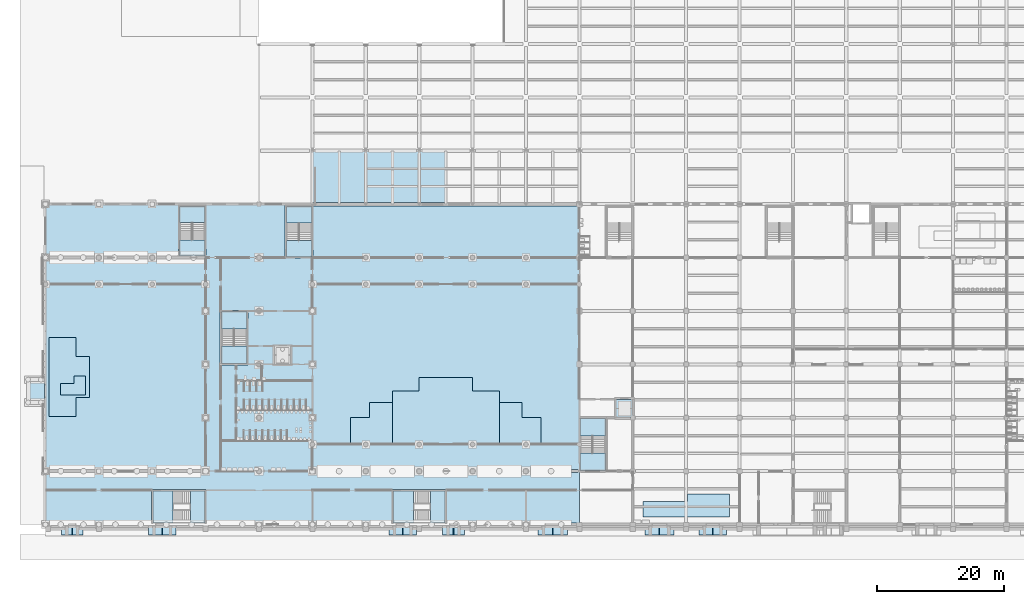
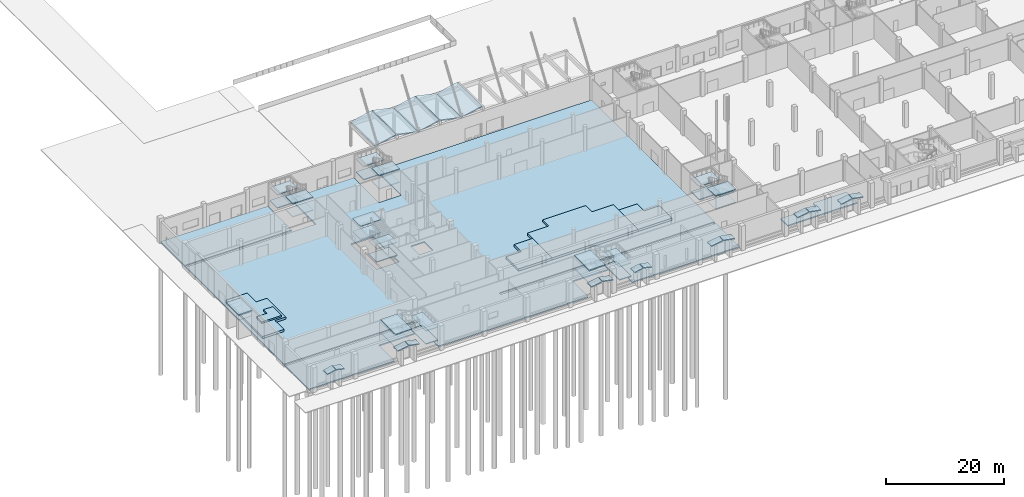
# One storey, part 11 of 74: 52 slabs, 6 elements without a shape of their own.
"""IFC4 building model written with IfcOpenShell, lengths in metres."""

from ifc_helpers import new_model, si_unit, direction, frame, origin, place, context, subcontext, project, spatial, polyline, outline, extrude, material, layer, layer_set, type_object, element, aggregate, save


model = new_model("IFC4")

# Units and contexts
model_context = context("Model", 3, precision=1e-05, world=origin(), true_north=direction((0.0, 1.0)))
body_context = subcontext(model_context, "Body", "Model", "MODEL_VIEW")
ifc_project = project(units=[si_unit("LENGTHUNIT", "METRE"), si_unit("AREAUNIT", "SQUARE_METRE"), si_unit("VOLUMEUNIT", "CUBIC_METRE"), si_unit("PLANEANGLEUNIT", "RADIAN"), si_unit("MASSUNIT", "GRAM", prefix="KILO")], contexts=[model_context])

# Site, building, storey
site_placement = place(None, origin())
site = spatial("IfcSite", under=ifc_project, at=site_placement, CompositionType="ELEMENT")
building_placement = place(site_placement, origin())
building = spatial("IfcBuilding", under=site, at=building_placement, Name="Rulbaag Community and Learning Centre", CompositionType="ELEMENT")
storey_placement = place(building_placement, origin())
storey = spatial("IfcBuildingStorey", under=building, at=storey_placement, Name="L00", CompositionType="ELEMENT", Elevation=0.0)

# Stair, slabs
ifc_material_1 = material(Name="Concrete M40", Category="concrete")
stair_type_1 = type_object("IfcStairType", Name="ST-2000 STAIR 2000 WIDE", PredefinedType="HALF_TURN_STAIR", material=ifc_material_1)
stair_1_placement = place(storey_placement, origin())
stair_1 = element("IfcStair", 1, at=stair_1_placement, inside=storey, type_object=stair_type_1, Name="Stair ST-H0 L00", PredefinedType="HALF_TURN_STAIR")
ifc_layer_1 = layer(ifc_material_1, 0.179931640625)
ifc_layer_set_1 = layer_set([ifc_layer_1], Name="LN-180 LANDING 180 Concrete M40")
slab_type_1 = type_object("IfcSlabType", Name="LN-180 LANDING 180 Concrete M40", PredefinedType="LANDING", material=ifc_layer_set_1)
slab_1_placement = place(storey_placement, frame((0.0, 0.0, 1.169921875)))
slab_1 = element("IfcSlab", 2, at=slab_1_placement, type_object=slab_type_1, Name="ST-H0 landing 1", PredefinedType="LANDING", context=body_context, shape_type="SweptSolid", body=[
    extrude(outline(polyline([(21.10009765625, 47.487548828125), (21.10009765625, 50.02490234375), (25.10009765625, 50.02490234375), (25.10009765625, 47.487548828125), (21.10009765625, 47.487548828125)])), origin(), (0.0, 0.0, 1.0), 0.18017578125),
])
slab_2_placement = place(storey_placement, frame((0.0, 0.0, 2.52001953125)))
slab_2 = element("IfcSlab", 3, at=slab_2_placement, type_object=slab_type_1, Name="ST-H0 landing 2", PredefinedType="LANDING", context=body_context, shape_type="SweptSolid", body=[
    extrude(outline(polyline([(21.10009765625, 42.25), (21.10009765625, 44.78759765625), (25.10009765625, 44.78759765625), (25.10009765625, 42.25), (21.10009765625, 42.25)])), origin(), (0.0, 0.0, 1.0), 0.179931640625),
])
slab_3_placement = place(storey_placement, frame((0.0, 0.0, 3.8701171875)))
slab_3 = element("IfcSlab", 4, at=slab_3_placement, type_object=slab_type_1, Name="ST-H0 landing 3", PredefinedType="LANDING", context=body_context, shape_type="SweptSolid", body=[
    extrude(outline(polyline([(21.10009765625, 47.487548828125), (21.10009765625, 50.02490234375), (25.10009765625, 50.02490234375), (25.10009765625, 47.487548828125), (21.10009765625, 47.487548828125)])), origin(), (0.0, 0.0, 1.0), 0.179931640625),
])
slab_4_placement = place(storey_placement, frame((0.0, 0.0, 5.219970703125)))
slab_4 = element("IfcSlab", 5, at=slab_4_placement, type_object=slab_type_1, Name="ST-H0 landing 4", PredefinedType="LANDING", context=body_context, shape_type="SweptSolid", body=[
    extrude(outline(polyline([(21.10009765625, 42.25), (21.10009765625, 44.78759765625), (25.10009765625, 44.78759765625), (25.10009765625, 42.25), (21.10009765625, 42.25)])), origin(), (0.0, 0.0, 1.0), 0.179931640625),
])
aggregate(stair_1, [slab_1, slab_2, slab_3, slab_4])

stair_2_placement = place(storey_placement, origin())
stair_2 = element("IfcStair", 6, at=stair_2_placement, inside=storey, type_object=stair_type_1, Name="Stair ST-H1 L00", PredefinedType="HALF_TURN_STAIR")
slab_5_placement = place(storey_placement, frame((0.0, 0.0, 1.169921875)))
slab_5 = element("IfcSlab", 7, at=slab_5_placement, type_object=slab_type_1, Name="ST-H1 landing 1", PredefinedType="LANDING", context=body_context, shape_type="SweptSolid", body=[
    extrude(outline(polyline([(27.699951171875, 25.300048828125), (27.699951171875, 28.050048828125), (31.699951171875, 28.050048828125), (31.699951171875, 25.300048828125), (27.699951171875, 25.300048828125)])), origin(), (0.0, 0.0, 1.0), 0.18017578125),
])
slab_6_placement = place(storey_placement, frame((0.0, 0.0, 2.52001953125)))
slab_6 = element("IfcSlab", 8, at=slab_6_placement, type_object=slab_type_1, Name="ST-H1 landing 2", PredefinedType="LANDING", context=body_context, shape_type="SweptSolid", body=[
    extrude(outline(polyline([(27.699951171875, 30.75), (27.699951171875, 33.5), (31.699951171875, 33.5), (31.699951171875, 30.75), (27.699951171875, 30.75)])), origin(), (0.0, 0.0, 1.0), 0.179931640625),
])
slab_7_placement = place(storey_placement, frame((0.0, 0.0, 3.8701171875)))
slab_7 = element("IfcSlab", 9, at=slab_7_placement, type_object=slab_type_1, Name="ST-H1 landing 3", PredefinedType="LANDING", context=body_context, shape_type="SweptSolid", body=[
    extrude(outline(polyline([(27.699951171875, 25.300048828125), (27.699951171875, 28.050048828125), (31.699951171875, 28.050048828125), (31.699951171875, 25.300048828125), (27.699951171875, 25.300048828125)])), origin(), (0.0, 0.0, 1.0), 0.179931640625),
])
slab_8_placement = place(storey_placement, frame((0.0, 0.0, 5.219970703125)))
slab_8 = element("IfcSlab", 10, at=slab_8_placement, type_object=slab_type_1, Name="ST-H1 landing 4", PredefinedType="LANDING", context=body_context, shape_type="SweptSolid", body=[
    extrude(outline(polyline([(27.699951171875, 30.75), (27.699951171875, 33.5), (31.699951171875, 33.5), (31.699951171875, 30.75), (27.699951171875, 30.75)])), origin(), (0.0, 0.0, 1.0), 0.179931640625),
])
aggregate(stair_2, [slab_5, slab_6, slab_7, slab_8])

stair_3_placement = place(storey_placement, origin())
stair_3 = element("IfcStair", 11, at=stair_3_placement, inside=storey, type_object=stair_type_1, Name="Stair ST-H2 L00", PredefinedType="HALF_TURN_STAIR")
slab_9_placement = place(storey_placement, frame((0.0, 0.0, 1.169921875)))
slab_9 = element("IfcSlab", 12, at=slab_9_placement, type_object=slab_type_1, Name="ST-H2 landing 1", PredefinedType="LANDING", context=body_context, shape_type="SweptSolid", body=[
    extrude(outline(polyline([(84.10009765625, 13.949951171875), (84.10009765625, 16.699951171875), (88.10009765625, 16.699951171875), (88.10009765625, 13.949951171875), (84.10009765625, 13.949951171875)])), origin(), (0.0, 0.0, 1.0), 0.18017578125),
])
slab_10_placement = place(storey_placement, frame((0.0, 0.0, 2.52001953125)))
slab_10 = element("IfcSlab", 13, at=slab_10_placement, type_object=slab_type_1, Name="ST-H2 landing 2", PredefinedType="LANDING", context=body_context, shape_type="SweptSolid", body=[
    extrude(outline(polyline([(84.10009765625, 8.5), (84.10009765625, 11.25), (88.10009765625, 11.25), (88.10009765625, 8.5), (84.10009765625, 8.5)])), origin(), (0.0, 0.0, 1.0), 0.179931640625),
])
slab_11_placement = place(storey_placement, frame((0.0, 0.0, 3.8701171875)))
slab_11 = element("IfcSlab", 14, at=slab_11_placement, type_object=slab_type_1, Name="ST-H2 landing 3", PredefinedType="LANDING", context=body_context, shape_type="SweptSolid", body=[
    extrude(outline(polyline([(84.10009765625, 13.949951171875), (84.10009765625, 16.699951171875), (88.10009765625, 16.699951171875), (88.10009765625, 13.949951171875), (84.10009765625, 13.949951171875)])), origin(), (0.0, 0.0, 1.0), 0.179931640625),
])
slab_12_placement = place(storey_placement, frame((0.0, 0.0, 5.219970703125)))
slab_12 = element("IfcSlab", 15, at=slab_12_placement, type_object=slab_type_1, Name="ST-H2 landing 4", PredefinedType="LANDING", context=body_context, shape_type="SweptSolid", body=[
    extrude(outline(polyline([(84.10009765625, 8.5), (84.10009765625, 11.25), (88.10009765625, 11.25), (88.10009765625, 8.5), (84.10009765625, 8.5)])), origin(), (0.0, 0.0, 1.0), 0.179931640625),
])
aggregate(stair_3, [slab_9, slab_10, slab_11, slab_12])

stair_4_placement = place(storey_placement, origin())
stair_4 = element("IfcStair", 16, at=stair_4_placement, inside=storey, type_object=stair_type_1, Name="Stair ST-H5 L00", PredefinedType="HALF_TURN_STAIR")
slab_13_placement = place(storey_placement, frame((0.0, 0.0, 1.169921875)))
slab_13 = element("IfcSlab", 17, at=slab_13_placement, type_object=slab_type_1, Name="ST-H5 landing 1", PredefinedType="LANDING", context=body_context, shape_type="SweptSolid", body=[
    extrude(outline(polyline([(37.89990234375, 47.41259765625), (37.89990234375, 50.02490234375), (41.89990234375, 50.02490234375), (41.89990234375, 47.41259765625), (37.89990234375, 47.41259765625)])), origin(), (0.0, 0.0, 1.0), 0.18017578125),
])
slab_14_placement = place(storey_placement, frame((0.0, 0.0, 2.52001953125)))
slab_14 = element("IfcSlab", 18, at=slab_14_placement, type_object=slab_type_1, Name="ST-H5 landing 2", PredefinedType="LANDING", context=body_context, shape_type="SweptSolid", body=[
    extrude(outline(polyline([(37.89990234375, 42.10009765625), (37.89990234375, 44.71240234375), (41.89990234375, 44.71240234375), (41.89990234375, 42.10009765625), (37.89990234375, 42.10009765625)])), origin(), (0.0, 0.0, 1.0), 0.179931640625),
])
slab_15_placement = place(storey_placement, frame((0.0, 0.0, 3.8701171875)))
slab_15 = element("IfcSlab", 19, at=slab_15_placement, type_object=slab_type_1, Name="ST-H5 landing 3", PredefinedType="LANDING", context=body_context, shape_type="SweptSolid", body=[
    extrude(outline(polyline([(37.89990234375, 47.41259765625), (37.89990234375, 50.02490234375), (41.89990234375, 50.02490234375), (41.89990234375, 47.41259765625), (37.89990234375, 47.41259765625)])), origin(), (0.0, 0.0, 1.0), 0.179931640625),
])
slab_16_placement = place(storey_placement, frame((0.0, 0.0, 5.219970703125)))
slab_16 = element("IfcSlab", 20, at=slab_16_placement, type_object=slab_type_1, Name="ST-H5 landing 4", PredefinedType="LANDING", context=body_context, shape_type="SweptSolid", body=[
    extrude(outline(polyline([(37.89990234375, 42.10009765625), (37.89990234375, 44.71240234375), (41.89990234375, 44.71240234375), (41.89990234375, 42.10009765625), (37.89990234375, 42.10009765625)])), origin(), (0.0, 0.0, 1.0), 0.179931640625),
])
aggregate(stair_4, [slab_13, slab_14, slab_15, slab_16])

stair_type_2 = type_object("IfcStairType", Name="ST-2100 STAIR 2100 WIDE", PredefinedType="HALF_TURN_STAIR", material=ifc_material_1)
stair_5_placement = place(storey_placement, origin())
stair_5 = element("IfcStair", 21, at=stair_5_placement, inside=storey, type_object=stair_type_2, Name="Stair ST-H8 L00", PredefinedType="HALF_TURN_STAIR")
slab_17_placement = place(storey_placement, frame((0.0, 0.0, 1.169921875)))
slab_17 = element("IfcSlab", 22, at=slab_17_placement, type_object=slab_type_1, Name="ST-H8 landing 1", PredefinedType="LANDING", context=body_context, shape_type="SweptSolid", body=[
    extrude(outline(polyline([(60.60009765625, 0.22509765625), (62.89990234375, 0.22509765625), (62.89990234375, 5.300048828125), (60.60009765625, 5.300048828125), (60.60009765625, 0.22509765625)])), origin(), (0.0, 0.0, 1.0), 0.18017578125),
])
slab_18_placement = place(storey_placement, frame((0.0, 0.0, 2.52001953125)))
slab_18 = element("IfcSlab", 23, at=slab_18_placement, type_object=slab_type_1, Name="ST-H8 landing 2", PredefinedType="LANDING", context=body_context, shape_type="SweptSolid", body=[
    extrude(outline(polyline([(54.699951171875, 0.22509765625), (57.89990234375, 0.22509765625), (57.89990234375, 5.300048828125), (54.699951171875, 5.300048828125), (54.699951171875, 0.22509765625)])), origin(), (0.0, 0.0, 1.0), 0.179931640625),
])
slab_19_placement = place(storey_placement, frame((0.0, 0.0, 3.8701171875)))
slab_19 = element("IfcSlab", 24, at=slab_19_placement, type_object=slab_type_1, Name="ST-H8 landing 3", PredefinedType="LANDING", context=body_context, shape_type="SweptSolid", body=[
    extrude(outline(polyline([(60.60009765625, 0.22509765625), (62.89990234375, 0.22509765625), (62.89990234375, 5.300048828125), (60.60009765625, 5.300048828125), (60.60009765625, 0.22509765625)])), origin(), (0.0, 0.0, 1.0), 0.179931640625),
])
slab_20_placement = place(storey_placement, frame((0.0, 0.0, 5.219970703125)))
slab_20 = element("IfcSlab", 25, at=slab_20_placement, type_object=slab_type_1, Name="ST-H8 landing 4", PredefinedType="LANDING", context=body_context, shape_type="SweptSolid", body=[
    extrude(outline(polyline([(54.699951171875, 0.22509765625), (57.89990234375, 0.22509765625), (57.89990234375, 5.300048828125), (54.699951171875, 5.300048828125), (54.699951171875, 0.22509765625)])), origin(), (0.0, 0.0, 1.0), 0.179931640625),
])
aggregate(stair_5, [slab_17, slab_18, slab_19, slab_20])

stair_6_placement = place(storey_placement, origin())
stair_6 = element("IfcStair", 26, at=stair_6_placement, inside=storey, type_object=stair_type_2, Name="Stair ST-H9 L00", PredefinedType="HALF_TURN_STAIR")
slab_21_placement = place(storey_placement, frame((0.0, 0.0, 1.169921875)))
slab_21 = element("IfcSlab", 27, at=slab_21_placement, type_object=slab_type_1, Name="ST-H9 landing 1", PredefinedType="LANDING", context=body_context, shape_type="SweptSolid", body=[
    extrude(outline(polyline([(22.800048828125, 0.22509765625), (25.10009765625, 0.22509765625), (25.10009765625, 5.300048828125), (22.800048828125, 5.300048828125), (22.800048828125, 0.22509765625)])), origin(), (0.0, 0.0, 1.0), 0.18017578125),
])
slab_22_placement = place(storey_placement, frame((0.0, 0.0, 2.52001953125)))
slab_22 = element("IfcSlab", 28, at=slab_22_placement, type_object=slab_type_1, Name="ST-H9 landing 2", PredefinedType="LANDING", context=body_context, shape_type="SweptSolid", body=[
    extrude(outline(polyline([(16.89990234375, 0.22509765625), (20.10009765625, 0.22509765625), (20.10009765625, 5.300048828125), (16.89990234375, 5.300048828125), (16.89990234375, 0.22509765625)])), origin(), (0.0, 0.0, 1.0), 0.179931640625),
])
slab_23_placement = place(storey_placement, frame((0.0, 0.0, 3.8701171875)))
slab_23 = element("IfcSlab", 29, at=slab_23_placement, type_object=slab_type_1, Name="ST-H9 landing 3", PredefinedType="LANDING", context=body_context, shape_type="SweptSolid", body=[
    extrude(outline(polyline([(22.800048828125, 0.22509765625), (25.10009765625, 0.22509765625), (25.10009765625, 5.300048828125), (22.800048828125, 5.300048828125), (22.800048828125, 0.22509765625)])), origin(), (0.0, 0.0, 1.0), 0.179931640625),
])
slab_24_placement = place(storey_placement, frame((0.0, 0.0, 5.219970703125)))
slab_24 = element("IfcSlab", 30, at=slab_24_placement, type_object=slab_type_1, Name="ST-H9 landing 4", PredefinedType="LANDING", context=body_context, shape_type="SweptSolid", body=[
    extrude(outline(polyline([(16.89990234375, 0.22509765625), (20.10009765625, 0.22509765625), (20.10009765625, 5.300048828125), (16.89990234375, 5.300048828125), (16.89990234375, 0.22509765625)])), origin(), (0.0, 0.0, 1.0), 0.179931640625),
])
aggregate(stair_6, [slab_21, slab_22, slab_23, slab_24])

# Slabs
ifc_layer_2 = layer(ifc_material_1, 0.22509765625)
ifc_layer_set_2 = layer_set([ifc_layer_2], Name="PP1 Porch folded plate 225 Concrete M40")
slab_type_2 = type_object("IfcSlabType", Name="PP1 Porch folded plate 225 Concrete M40", PredefinedType="ROOF", material=ifc_layer_set_2)
slab_25_placement = place(storey_placement, frame((42.0, 50.64990234375, 4.89990234375), z_axis=(-0.209519074108, 0.009776985038, 0.97775567917), x_axis=(0.0, 0.999950009596, -0.009998915364)))
element("IfcSlab", 31, at=slab_25_placement, inside=storey, type_object=slab_type_2, Name="SL-PORCH-H1", PredefinedType="ROOF", context=body_context, shape_type="SweptSolid", body=[
    extrude(outline(polyline([(0.0, 0.0), (8.350515101871457, -3.469446951953614e-18), (8.34161714129967, -4.24709824547015), (-0.008897960571785813, -4.24709824547015), (0.0, 0.0)])), origin(), (0.0, 0.0, -1.0), 0.22509765625),
])
slab_26_placement = place(storey_placement, frame((46.2470703125, 50.64990234375, 5.789794921875), z_axis=(0.209519074108, 0.009776985038, 0.97775567917), x_axis=(0.0, 0.999950009596, -0.009998915364)))
element("IfcSlab", 32, at=slab_26_placement, inside=storey, type_object=slab_type_2, Name="SL-PORCH-H2", PredefinedType="ROOF", context=body_context, shape_type="SweptSolid", body=[
    extrude(outline(polyline([(0.0, 0.0), (8.350515101871457, 3.469446951953614e-18), (8.359413062443242, -4.24709824547015), (0.008897960571785813, -4.24709824547015), (0.0, 0.0)])), origin(), (0.0, 0.0, -1.0), 0.22509765625),
])
slab_27_placement = place(storey_placement, frame((50.39990234375, 50.64990234375, 4.89990234375), z_axis=(-0.209507298061, 0.009777010268, 0.977758202282), x_axis=(0.0, 0.999950009596, -0.009998915364)))
element("IfcSlab", 33, at=slab_27_placement, inside=storey, type_object=slab_type_2, Name="SL-PORCH-H3", PredefinedType="ROOF", context=body_context, shape_type="SweptSolid", body=[
    extrude(outline(polyline([(0.0, 0.0), (8.350515101871457, 0.0), (8.34161714129967, -4.24733696759458), (-0.008897960571785813, -4.24733696759458), (0.0, 0.0)])), origin(), (0.0, 0.0, -1.0), 0.22509765625),
])
slab_28_placement = place(storey_placement, frame((54.647216796875, 50.64990234375, 5.789794921875), z_axis=(0.209519074108, 0.009776985038, 0.97775567917), x_axis=(0.0, 0.999950009596, -0.009998915364)))
element("IfcSlab", 34, at=slab_28_placement, inside=storey, type_object=slab_type_2, Name="SL-PORCH-H4", PredefinedType="ROOF", context=body_context, shape_type="SweptSolid", body=[
    extrude(outline(polyline([(0.0, 0.0), (8.350515101871457, 3.469446951953614e-18), (8.359413062443242, -4.24709824547015), (0.008897960571785813, -4.24709824547015), (0.0, 0.0)])), origin(), (0.0, 0.0, -1.0), 0.22509765625),
])
slab_29_placement = place(storey_placement, frame((58.800048828125, 50.64990234375, 4.89990234375), z_axis=(-0.209519074108, 0.009776985038, 0.97775567917), x_axis=(0.0, 0.999950009596, -0.009998915364)))
element("IfcSlab", 35, at=slab_29_placement, inside=storey, type_object=slab_type_2, Name="SL-PORCH-H5", PredefinedType="ROOF", context=body_context, shape_type="SweptSolid", body=[
    extrude(outline(polyline([(0.0, 0.0), (8.350515101871457, -3.469446951953614e-18), (8.34161714129967, -4.24709824547015), (-0.008897960571785813, -4.24709824547015), (0.0, 0.0)])), origin(), (0.0, 0.0, -1.0), 0.22509765625),
])
ifc_layer_3 = layer(ifc_material_1, 0.199951171875)
ifc_layer_set_3 = layer_set([ifc_layer_3], Name="PP2 Portal folded lintel 200 Concrete M40")
slab_type_3 = type_object("IfcSlabType", Name="PP2 Portal folded lintel 200 Concrete M40", PredefinedType="ROOF", material=ifc_layer_set_3)
slab_30_placement = place(storey_placement, frame((2.5, -0.22509765625, 3.300048828125), z_axis=(-0.228991290351, 0.0, 0.973428471406), x_axis=(0.973428471406, 0.0, 0.228991290351)))
element("IfcSlab", 36, at=slab_30_placement, inside=storey, type_object=slab_type_3, Name="Portal folded lintel", PredefinedType="ROOF", context=body_context, shape_type="SweptSolid", body=[
    extrude(outline(polyline([(0.0, 0.0), (1.699453964615485, 0.0), (1.699453964615485, -1.39990234375), (0.0, -1.39990234375), (0.0, 0.0)])), origin(), (0.0, 0.0, -1.0), 0.199951171875),
])
slab_31_placement = place(storey_placement, frame((4.245849609375, -0.22509765625, 3.689208984375), z_axis=(0.22902331709, 0.0, 0.973420936815), x_axis=(0.973420936815, 0.0, -0.22902331709)))
element("IfcSlab", 37, at=slab_31_placement, inside=storey, type_object=slab_type_3, Name="Portal folded lintel", PredefinedType="ROOF", context=body_context, shape_type="SweptSolid", body=[
    extrude(outline(polyline([(0.0, 0.0), (1.699216312099769, 0.0), (1.699216312099769, -1.39990234375), (0.0, -1.39990234375), (0.0, 0.0)])), origin(), (0.0, 0.0, -1.0), 0.199951171875),
])
slab_32_placement = place(storey_placement, frame((16.25, -0.22509765625, 3.300048828125), z_axis=(-0.182861961965, 0.0, 0.983138597994), x_axis=(0.983138597994, 0.0, 0.182861961965)))
element("IfcSlab", 38, at=slab_32_placement, inside=storey, type_object=slab_type_3, Name="Portal folded lintel", PredefinedType="ROOF", context=body_context, shape_type="SweptSolid", body=[
    extrude(outline(polyline([(0.0, 0.0), (2.14952525952217, 0.0), (2.14952525952217, -1.39990234375), (0.0, -1.39990234375), (0.0, 0.0)])), origin(), (0.0, 0.0, -1.0), 0.199951171875),
])
slab_33_placement = place(storey_placement, frame((18.4365234375, -0.22509765625, 3.693115234375), z_axis=(0.182841545151, 0.0, 0.983142395265), x_axis=(0.983142395265, 0.0, -0.182841545151)))
element("IfcSlab", 39, at=slab_33_placement, inside=storey, type_object=slab_type_3, Name="Portal folded lintel", PredefinedType="ROOF", context=body_context, shape_type="SweptSolid", body=[
    extrude(outline(polyline([(0.0, 0.0), (2.149765284057506, 0.0), (2.149765284057506, -1.39990234375), (0.0, -1.39990234375), (0.0, 0.0)])), origin(), (0.0, 0.0, -1.0), 0.199951171875),
])
slab_34_placement = place(storey_placement, frame((54.050048828125, -0.22509765625, 3.300048828125), z_axis=(-0.182861961965, 0.0, 0.983138597994), x_axis=(0.983138597994, 0.0, 0.182861961965)))
element("IfcSlab", 40, at=slab_34_placement, inside=storey, type_object=slab_type_3, Name="Portal folded lintel", PredefinedType="ROOF", context=body_context, shape_type="SweptSolid", body=[
    extrude(outline(polyline([(0.0, 0.0), (2.14952525952217, 0.0), (2.14952525952217, -1.39990234375), (0.0, -1.39990234375), (0.0, 0.0)])), origin(), (0.0, 0.0, -1.0), 0.199951171875),
])
slab_35_placement = place(storey_placement, frame((56.236572265625, -0.22509765625, 3.693115234375), z_axis=(0.182841545151, 0.0, 0.983142395265), x_axis=(0.983142395265, 0.0, -0.182841545151)))
element("IfcSlab", 41, at=slab_35_placement, inside=storey, type_object=slab_type_3, Name="Portal folded lintel", PredefinedType="ROOF", context=body_context, shape_type="SweptSolid", body=[
    extrude(outline(polyline([(0.0, 0.0), (2.149765284057506, 0.0), (2.149765284057506, -1.39990234375), (0.0, -1.39990234375), (0.0, 0.0)])), origin(), (0.0, 0.0, -1.0), 0.199951171875),
])
slab_36_placement = place(storey_placement, frame((62.5, -0.22509765625, 3.300048828125), z_axis=(-0.228991290351, 0.0, 0.973428471406), x_axis=(0.973428471406, 0.0, 0.228991290351)))
element("IfcSlab", 42, at=slab_36_placement, inside=storey, type_object=slab_type_3, Name="Portal folded lintel", PredefinedType="ROOF", context=body_context, shape_type="SweptSolid", body=[
    extrude(outline(polyline([(0.0, 0.0), (1.699453964615485, 0.0), (1.699453964615485, -1.39990234375), (0.0, -1.39990234375), (0.0, 0.0)])), origin(), (0.0, 0.0, -1.0), 0.199951171875),
])
slab_37_placement = place(storey_placement, frame((64.245849609375, -0.22509765625, 3.689208984375), z_axis=(0.22902331709, 0.0, 0.973420936815), x_axis=(0.973420936815, 0.0, -0.22902331709)))
element("IfcSlab", 43, at=slab_37_placement, inside=storey, type_object=slab_type_3, Name="Portal folded lintel", PredefinedType="ROOF", context=body_context, shape_type="SweptSolid", body=[
    extrude(outline(polyline([(0.0, 0.0), (1.699216312099769, 0.0), (1.699216312099769, -1.39990234375), (0.0, -1.39990234375), (0.0, 0.0)])), origin(), (0.0, 0.0, -1.0), 0.199951171875),
])
slab_38_placement = place(storey_placement, frame((77.5, -0.22509765625, 3.5), z_axis=(-0.171350135451, 0.0, 0.985210196395), x_axis=(0.985210196395, 0.0, 0.171350135451)))
element("IfcSlab", 44, at=slab_38_placement, inside=storey, type_object=slab_type_3, Name="Portal folded lintel", PredefinedType="ROOF", context=body_context, shape_type="SweptSolid", body=[
    extrude(outline(polyline([(0.0, 0.0), (2.2996361672765353, 0.0), (2.2996361672765353, -1.39990234375), (0.0, -1.39990234375), (0.0, 0.0)])), origin(), (0.0, 0.0, -1.0), 0.199951171875),
])
slab_39_placement = place(storey_placement, frame((79.834228515625, -0.22509765625, 3.89404296875), z_axis=(0.171332214975, 0.0, 0.985213313), x_axis=(0.985213313, 0.0, -0.171332214975)))
element("IfcSlab", 45, at=slab_39_placement, inside=storey, type_object=slab_type_3, Name="Portal folded lintel", PredefinedType="ROOF", context=body_context, shape_type="SweptSolid", body=[
    extrude(outline(polyline([(0.0, 0.0), (2.299876697490104, 0.0), (2.299876697490104, -1.3999023437499998), (0.0, -1.3999023437499998), (0.0, 0.0)])), origin(), (0.0, 0.0, -1.0), 0.199951171875),
])
for number, where, z_axis, x_axis, name in (
    (46, (94.300048828125, -0.22509765625, 3.5), (-0.171350135451, 0.0, 0.985210196395), (0.985210196395, 0.0, 0.171350135451), "Portal folded lintel"),
    (47, (96.63427734375, -0.22509765625, 3.89404296875), (0.171350135451, 0.0, 0.985210196395), (0.985210196395, 0.0, -0.171350135451), "Portal folded lintel"),
):
    element("IfcSlab", number, at=place(storey_placement, frame(where, z_axis=z_axis, x_axis=x_axis)), inside=storey, type_object=slab_type_3, Name=name, PredefinedType="ROOF", context=body_context, shape_type="SweptSolid", body=[
        extrude(outline(polyline([(0.0, 0.0), (2.2996361672765353, 0.0), (2.2996361672765353, -1.39990234375), (0.0, -1.39990234375), (0.0, 0.0)])), origin(), (0.0, 0.0, -1.0), 0.199951171875),
    ])
for number, where, z_axis, x_axis, name in (
    (48, (102.85009765625, -0.22509765625, 3.300048828125), (-0.182861961965, 0.0, 0.983138597994), (0.983138597994, 0.0, 0.182861961965), "Portal folded lintel"),
    (49, (105.03662109375, -0.22509765625, 3.693115234375), (0.182861961965, 0.0, 0.983138597994), (0.983138597994, 0.0, -0.182861961965), "Portal folded lintel"),
):
    element("IfcSlab", number, at=place(storey_placement, frame(where, z_axis=z_axis, x_axis=x_axis)), inside=storey, type_object=slab_type_3, Name=name, PredefinedType="ROOF", context=body_context, shape_type="SweptSolid", body=[
        extrude(outline(polyline([(0.0, 0.0), (2.14952525952217, 0.0), (2.14952525952217, -1.39990234375), (0.0, -1.39990234375), (0.0, 0.0)])), origin(), (0.0, 0.0, -1.0), 0.199951171875),
    ])
ifc_material_2 = material(Name="Concrete M35", Category="concrete")
ifc_layer_4 = layer(ifc_material_2, 0.39990234375)
ifc_layer_set_4 = layer_set([ifc_layer_4], Name="S1 Lift pit slab 400 Concrete M35")
slab_type_4 = type_object("IfcSlabType", Name="S1 Lift pit slab 400 Concrete M35", PredefinedType="BASESLAB", material=ifc_layer_set_4)
slab_40_placement = place(storey_placement, frame((0.0, 0.0, -1.89990234375)))
element("IfcSlab", 50, at=slab_40_placement, inside=storey, type_object=slab_type_4, Name="SL-PIT-LH2", PredefinedType="BASESLAB", context=body_context, shape_type="SweptSolid", body=[
    extrude(outline(polyline([(92.39990234375, 16.800048828125), (92.39990234375, 19.699951171875), (89.800048828125, 19.699951171875), (89.800048828125, 16.800048828125), (92.39990234375, 16.800048828125)])), origin(), (0.0, 0.0, 1.0), 0.39990234375),
])
ifc_layer_5 = layer(ifc_material_1, 0.449951171875)
ifc_layer_set_5 = layer_set([ifc_layer_5], Name="S13 Raised platform 450 Concrete M40")
slab_type_5 = type_object("IfcSlabType", Name="S13 Raised platform 450 Concrete M40", PredefinedType="USERDEFINED", material=ifc_layer_set_5)
slab_41_placement = place(storey_placement, origin())
element("IfcSlab", 51, at=slab_41_placement, inside=storey, type_object=slab_type_5, Name="SL-PLAT-STAGE", ObjectType="RAISED PLATFORM", PredefinedType="USERDEFINED", context=body_context, shape_type="SweptSolid", body=[
    extrude(outline(polyline([(54.60009765625, 12.60009765625), (71.39990234375, 12.60009765625), (71.39990234375, 21.0), (67.199951171875, 21.0), (67.199951171875, 23.10009765625), (58.800048828125, 23.10009765625), (58.800048828125, 21.0), (54.60009765625, 21.0), (54.60009765625, 12.60009765625)])), origin(), (0.0, 0.0, 1.0), 0.449951171875),
])
slab_42_placement = place(storey_placement, origin())
element("IfcSlab", 52, at=slab_42_placement, inside=storey, type_object=slab_type_5, Name="SL-PLAT-DAIS", ObjectType="RAISED PLATFORM", PredefinedType="USERDEFINED", context=body_context, shape_type="SweptSolid", body=[
    extrude(outline(polyline([(0.60009765625, 17.0), (4.800048828125, 17.0), (4.800048828125, 20.0), (6.89990234375, 20.0), (6.89990234375, 26.39990234375), (4.800048828125, 26.39990234375), (4.800048828125, 29.39990234375), (0.60009765625, 29.39990234375), (0.60009765625, 17.0)])), origin(), (0.0, 0.0, 1.0), 0.449951171875),
])
slab_43_placement = place(storey_placement, origin())
element("IfcSlab", 53, at=slab_43_placement, inside=storey, type_object=slab_type_5, Name="SL-PLAT-WING-W", ObjectType="RAISED PLATFORM", PredefinedType="USERDEFINED", context=body_context, shape_type="SweptSolid", body=[
    extrude(outline(polyline([(48.0, 12.60009765625), (54.60009765625, 12.60009765625), (54.60009765625, 19.199951171875), (51.0, 19.199951171875), (51.0, 16.800048828125), (48.0, 16.800048828125), (48.0, 12.60009765625)])), origin(), (0.0, 0.0, 1.0), 0.449951171875),
])
slab_44_placement = place(storey_placement, origin())
element("IfcSlab", 54, at=slab_44_placement, inside=storey, type_object=slab_type_5, Name="SL-PLAT-WING-E", ObjectType="RAISED PLATFORM", PredefinedType="USERDEFINED", context=body_context, shape_type="SweptSolid", body=[
    extrude(outline(polyline([(71.39990234375, 12.60009765625), (78.0, 12.60009765625), (78.0, 16.800048828125), (75.0, 16.800048828125), (75.0, 19.199951171875), (71.39990234375, 19.199951171875), (71.39990234375, 12.60009765625)])), origin(), (0.0, 0.0, 1.0), 0.449951171875),
])
ifc_layer_6 = layer(ifc_material_1, 0.300048828125)
ifc_layer_set_6 = layer_set([ifc_layer_6], Name="S15 Raised platform, library and control room 300 Concrete M40")
slab_type_6 = type_object("IfcSlabType", Name="S15 Raised platform, library and control room 300 Concrete M40", PredefinedType="USERDEFINED", material=ifc_layer_set_6)
slab_45_placement = place(storey_placement, frame((0.0, 0.0, 0.449951171875)))
element("IfcSlab", 55, at=slab_45_placement, inside=storey, type_object=slab_type_6, Name="SL-PLAT-MINBAR", ObjectType="RAISED PLATFORM", PredefinedType="USERDEFINED", context=body_context, shape_type="SweptSolid", body=[
    extrude(outline(polyline([(2.39990234375, 20.39990234375), (6.300048828125, 20.39990234375), (6.300048828125, 23.39990234375), (4.5, 23.39990234375), (4.5, 22.199951171875), (2.39990234375, 22.199951171875), (2.39990234375, 20.39990234375)])), origin(), (0.0, 0.0, 1.0), 0.300048828125),
])
ifc_layer_7 = layer(ifc_material_1, 0.25)
ifc_layer_set_7 = layer_set([ifc_layer_7], Name="S16 Equipment plinth 250 Concrete M40")
slab_type_7 = type_object("IfcSlabType", Name="S16 Equipment plinth 250 Concrete M40", PredefinedType="USERDEFINED", material=ifc_layer_set_7)
slab_46_placement = place(storey_placement, origin())
element("IfcSlab", 56, at=slab_46_placement, inside=storey, type_object=slab_type_7, Name="SL-PLAT-RANGE", ObjectType="RAISED PLATFORM", PredefinedType="USERDEFINED", context=body_context, shape_type="SweptSolid", body=[
    extrude(outline(polyline([(94.0, 1.199951171875), (107.60009765625, 1.199951171875), (107.60009765625, 4.800048828125), (101.0, 4.800048828125), (101.0, 3.60009765625), (94.0, 3.60009765625), (94.0, 1.199951171875)])), origin(), (0.0, 0.0, 1.0), 0.25),
])
ifc_layer_8 = layer(ifc_material_1, 0.25)
ifc_layer_set_8 = layer_set([ifc_layer_8], Name="S23 Portal hood slab 250 Concrete M40")
slab_type_8 = type_object("IfcSlabType", Name="S23 Portal hood slab 250 Concrete M40", PredefinedType="ROOF", material=ifc_layer_set_8)
slab_47_placement = place(storey_placement, frame((0.0, 0.0, 4.800048828125)))
element("IfcSlab", 57, at=slab_47_placement, inside=storey, type_object=slab_type_8, Name="PT-HOOD", PredefinedType="ROOF", context=body_context, shape_type="SweptSolid", body=[
    extrude(outline(polyline([(-0.175048828125, 18.89990234375), (-0.175048828125, 23.10009765625), (-2.97509765625, 23.10009765625), (-2.97509765625, 18.89990234375), (-0.175048828125, 18.89990234375)])), origin(), (0.0, 0.0, 1.0), 0.25),
])
ifc_material_3 = material(Name="Concrete M30", Category="concrete")
ifc_layer_9 = layer(ifc_material_3, 0.25)
ifc_layer_set_9 = layer_set([ifc_layer_9], Name="S9 Ground slab 250 Concrete M30")
slab_type_9 = type_object("IfcSlabType", Name="S9 Ground slab 250 Concrete M30", PredefinedType="BASESLAB", material=ifc_layer_set_9)
slab_48_placement = place(storey_placement, frame((0.0, 0.0, -0.25)))
element("IfcSlab", 58, at=slab_48_placement, inside=storey, type_object=slab_type_9, Name="SL-L00-AG01", PredefinedType="BASESLAB", context=body_context, shape_type="SweptSolid", body=[
    extrude(outline(polyline([(83.8388671875, 8.152099609375), (83.82470703125, 8.158935546875), (83.81103515625, 8.1669921875), (83.798583984375, 8.17626953125), (83.786865234375, 8.18701171875), (83.7763671875, 8.198486328125), (83.76708984375, 8.211181640625), (83.7587890625, 8.224609375), (83.752197265625, 8.23876953125), (83.746826171875, 8.253662109375), (83.7431640625, 8.268798828125), (83.74072265625, 8.2841796875), (83.739990234375, 8.300048828125), (83.739990234375, 8.31005859375), (83.89990234375, 8.31005859375), (83.89990234375, 8.300048828125), (83.9990234375, 8.300048828125), (83.9990234375, 8.14990234375), (84.0, 8.14990234375), (84.0, 0.22509765625), (63.10009765625, 0.22509765625), (63.10009765625, 5.5), (54.5, 5.5), (54.5, 0.22509765625), (25.300048828125, 0.22509765625), (25.300048828125, 5.5), (16.699951171875, 5.5), (16.699951171875, 0.22509765625), (0.0, 0.22509765625), (0.0, -0.06005859375), (-0.0283203125, -0.052978515625), (-0.0498046875, -0.033203125), (-0.059814453125, -0.005859375), (-0.06005859375, 0.22509765625), (-0.055419921875, 0.248046875), (-0.04248046875, 0.267333984375), (-0.02294921875, 0.280517578125), (0.0, 0.284912109375), (0.0, 8.090087890625), (-0.02294921875, 8.094482421875), (-0.04248046875, 8.107666015625), (-0.055419921875, 8.126953125), (-0.059814453125, 8.14404296875), (-0.06005859375, 8.64990234375), (-0.055419921875, 8.673095703125), (-0.04248046875, 8.6923828125), (-0.02294921875, 8.705322265625), (0.0, 8.7099609375), (0.0, 41.68994140625), (-0.0283203125, 41.697021484375), (-0.04248046875, 41.70751953125), (-0.055419921875, 41.72705078125), (-0.059814453125, 41.744140625), (-0.06005859375, 42.25), (-0.055419921875, 42.27294921875), (-0.04248046875, 42.29248046875), (-0.02294921875, 42.305419921875), (0.0, 42.31005859375), (0.0, 50.39990234375), (20.89990234375, 50.39990234375), (20.89990234375, 42.25), (0.0, 42.25), (0.0, 41.75), (25.199951171875, 41.75), (25.199951171875, 41.89990234375), (25.300048828125, 41.89990234375), (25.300048828125, 50.39990234375), (37.699951171875, 50.39990234375), (37.699951171875, 41.89990234375), (42.10009765625, 41.89990234375), (42.10009765625, 50.14990234375), (84.0, 50.14990234375), (84.0, 8.64990234375), (83.9990234375, 8.64990234375), (83.9990234375, 8.5), (83.89990234375, 8.5), (83.89990234375, 8.489990234375), (83.739990234375, 8.489990234375), (83.739990234375, 8.5), (83.74072265625, 8.515625), (83.7431640625, 8.53125), (83.746826171875, 8.54638671875), (83.752197265625, 8.561279296875), (83.7587890625, 8.575439453125), (83.76708984375, 8.5888671875), (83.7763671875, 8.6015625), (83.786865234375, 8.613037109375), (83.798583984375, 8.623779296875), (83.81103515625, 8.633056640625), (83.82470703125, 8.64111328125), (83.8388671875, 8.647705078125), (83.844970703125, 8.64990234375), (42.0, 8.64990234375), (42.0, 8.14990234375), (83.844970703125, 8.14990234375), (83.8388671875, 8.152099609375)]), holes=[polyline([(36.0, 28.10009765625), (36.0, 25.199951171875), (38.60009765625, 25.199951171875), (38.60009765625, 28.10009765625), (36.0, 28.10009765625)]), polyline([(27.5, 33.699951171875), (27.5, 25.10009765625), (31.89990234375, 25.10009765625), (31.89990234375, 33.699951171875), (27.5, 33.699951171875)]), polyline([(0.0, 8.14990234375), (25.199951171875, 8.14990234375), (25.199951171875, 8.64990234375), (0.0, 8.64990234375), (0.0, 8.14990234375)])]), origin(), (0.0, 0.0, 1.0), 0.25),
])

save(model, "model.ifc")
